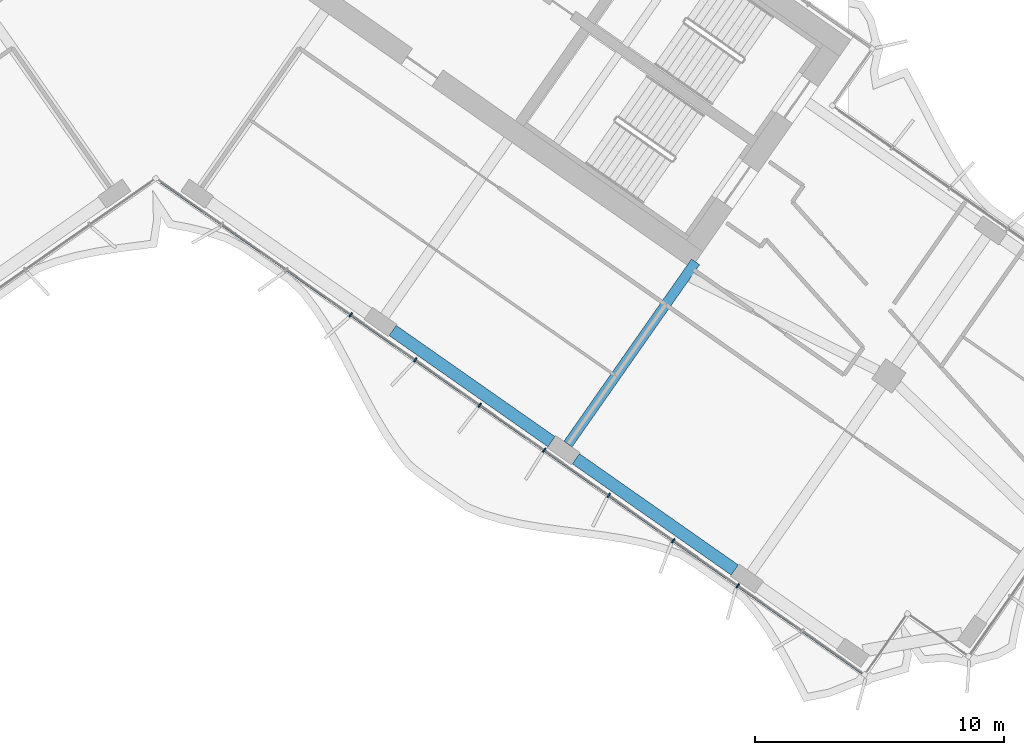
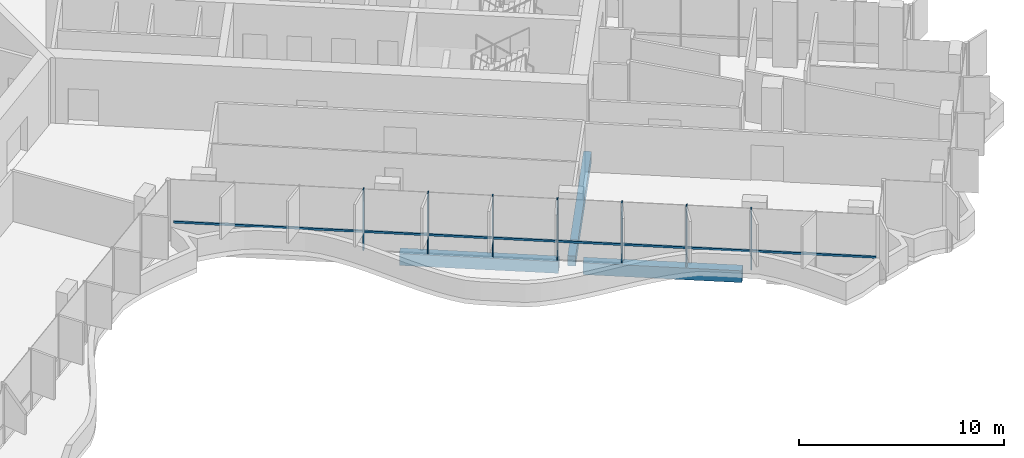
# One storey, part 5 of 22: 8 members, 3 beams, 1 element without a shape of its own.
"""IFC4 building model written with IfcOpenShell, lengths in metres."""

import ifcopenshell
import ifcopenshell.guid

model = None  # the IFC model being written
_history = None  # IfcOwnerHistory: only IFC2X3 demands one
_inside = {}  # id of a spatial element -> (the spatial element, [elements in it])
_under = {}  # id of a project, library or spatial element -> (it, [spatial elements below it])
_declared = {}  # id of a project -> (the project, [libraries it declares])
_typed = {}  # id of a type object -> (the type object, [elements of that type])
_made_of = {}  # id of a material, layer set ... -> (it, [elements and type objects made of it])


def new_model(schema):
    """Start an empty IFC model of exactly this schema.

    Asked for "IFC4X3", IfcOpenShell would pick the latest addendum, in which some entities
    have other attributes; the version numbers below select the first issue.
    IFC2X3 requires an IfcOwnerHistory on every rooted entity: one is made here for all.
    """
    global model, _history
    if schema == "IFC4X3":
        model = ifcopenshell.file(schema_version=(4, 3, 0, 0))
    else:
        model = ifcopenshell.file(schema=schema)
    _inside.clear()
    _under.clear()
    _declared.clear()
    _typed.clear()
    _made_of.clear()
    _history = None
    if model.schema == "IFC2X3":
        org = make("IfcOrganization", Name="unknown")
        user = make(
            "IfcPersonAndOrganization",
            ThePerson=make("IfcPerson", FamilyName="unknown"),
            TheOrganization=org,
        )
        app = make(
            "IfcApplication",
            ApplicationDeveloper=org,
            Version="unknown",
            ApplicationFullName="unknown",
            ApplicationIdentifier="unknown",
        )
        _history = make(
            "IfcOwnerHistory",
            OwningUser=user,
            OwningApplication=app,
            ChangeAction="ADDED",
            CreationDate=0,
        )
    return model


def make(cls, **values):
    """One entity of the class cls with the attributes given. An attribute that is None is left unset."""
    return model.create_entity(
        cls, **{name: value for name, value in values.items() if value is not None}
    )


def rooted(cls, **values):
    """An entity with a GlobalId (a new one), such as an element, a storey or a relation."""
    return make(cls, GlobalId=ifcopenshell.guid.new(), OwnerHistory=_history, **values)


def si_unit(unit_type, name, prefix=None):
    """IfcSIUnit, for example si_unit("LENGTHUNIT", "METRE", prefix="MILLI")."""
    return make("IfcSIUnit", UnitType=unit_type, Prefix=prefix, Name=name)


def assignment(units):
    """IfcUnitAssignment: the units of a project."""
    return None if units is None else make("IfcUnitAssignment", Units=units)


def point(xyz):
    """IfcCartesianPoint."""
    return None if xyz is None else make("IfcCartesianPoint", Coordinates=xyz)


def direction(xyz):
    """IfcDirection."""
    return None if xyz is None else make("IfcDirection", DirectionRatios=xyz)


def frame(location, z_axis=None, x_axis=None):
    """IfcAxis2Placement3D, a coordinate frame: its origin and axes. An axis left out is left unset."""
    return make(
        "IfcAxis2Placement3D",
        Location=point(location),
        Axis=direction(z_axis),
        RefDirection=direction(x_axis),
    )


def frame_2d(location, x_axis=None):
    """IfcAxis2Placement2D, a coordinate frame in the plane: its origin and x axis."""
    return make(
        "IfcAxis2Placement2D", Location=point(location), RefDirection=direction(x_axis)
    )


def origin():
    """The frame at (0, 0, 0) with its axes left unset."""
    return frame((0.0, 0.0, 0.0))


def origin_2d():
    """The frame at (0, 0) in the plane with its x axis left unset."""
    return frame_2d((0.0, 0.0))


def place(relative_to, where):
    """IfcLocalPlacement: puts the frame where relative to a parent placement (None: the world)."""
    return make(
        "IfcLocalPlacement", PlacementRelTo=relative_to, RelativePlacement=where
    )


def context(
    kind, dimensions, precision=None, world=None, true_north=None, identifier=None
):
    """IfcGeometricRepresentationContext, for example the 3D "Model" context."""
    return make(
        "IfcGeometricRepresentationContext",
        ContextIdentifier=identifier,
        ContextType=kind,
        CoordinateSpaceDimension=dimensions,
        Precision=precision,
        WorldCoordinateSystem=world,
        TrueNorth=true_north,
    )


def subcontext(parent, identifier, kind, view, scale=None):
    """IfcGeometricRepresentationSubContext, for example "Body" below "Model"."""
    return make(
        "IfcGeometricRepresentationSubContext",
        ContextIdentifier=identifier,
        ContextType=kind,
        ParentContext=parent,
        TargetScale=scale,
        TargetView=view,
    )


def project(units=None, contexts=None):
    """IfcProject with its units and contexts."""
    return rooted(
        "IfcProject",
        Name="project",
        RepresentationContexts=contexts,
        UnitsInContext=assignment(units),
    )


def spatial(cls, under=None, at=None, **own):
    """A site, building, storey or space (cls), placed at a placement, below another one or the project."""
    s = rooted(cls, ObjectPlacement=at, **own)
    if under is not None:
        _under.setdefault(under.id(), (under, []))[1].append(s)
    return s


def profile(cls, at=None, kind="AREA", **sizes):
    """A parametric profile (cls). Its sizes go by their IFC names, for example OverallWidth=200.0."""
    return make(cls, ProfileType=kind, Position=at, **sizes)


def rectangle(**sizes):
    """IfcRectangleProfileDef."""
    return profile("IfcRectangleProfileDef", **sizes)


def extrude(swept, where, along, depth):
    """IfcExtrudedAreaSolid: the profile swept, set in the frame where, extruded along a direction by depth."""
    return make(
        "IfcExtrudedAreaSolid",
        SweptArea=swept,
        Position=where,
        ExtrudedDirection=direction(along),
        Depth=depth,
    )


def shape(context_of_items, identifier, shape_type, items):
    """IfcShapeRepresentation: the items that make up one representation, for example the "Body"."""
    return make(
        "IfcShapeRepresentation",
        ContextOfItems=context_of_items,
        RepresentationIdentifier=identifier,
        RepresentationType=shape_type,
        Items=items,
    )


def material(Name=None, Category=None):
    """IfcMaterial."""
    return make("IfcMaterial", Name=Name, Category=Category)


def material_profile(
    of_material, cross_section, Name=None, Category=None, Priority=None
):
    """IfcMaterialProfile: a cross section and its material."""
    return make(
        "IfcMaterialProfile",
        Name=Name,
        Material=of_material,
        Profile=cross_section,
        Priority=Priority,
        Category=Category,
    )


def profile_set(profiles, Name=None, composite=None):
    """IfcMaterialProfileSet."""
    return make(
        "IfcMaterialProfileSet",
        Name=Name,
        MaterialProfiles=profiles,
        CompositeProfile=composite,
    )


def made_of(thing, what):
    """Note that an element or type object is made of a material, layer set ...; save() writes the relation."""
    if what is not None:
        _made_of.setdefault(what.id(), (what, []))[1].append(thing)
    return thing


def type_object(cls, material=None, **own):
    """A type object (cls), such as IfcWallType, which elements share."""
    return made_of(rooted(cls, **own), material)


def element(
    cls,
    number,
    at=None,
    inside=None,
    cuts=None,
    type_object=None,
    material=None,
    context=None,
    identifier="Body",
    shape_type=None,
    held_by="IfcProductDefinitionShape",
    body=None,
    shapes=None,
    **own,
):
    """One element of the class cls, such as IfcWall. Its Tag is "e" and its number.

    at: its placement. inside: the storey or other place that contains it. cuts: it is an
    opening in that element (IfcRelVoidsElement). A single representation is given by context,
    identifier, shape_type and body (its items); several are given by shapes. held_by: the class
    of the entity that holds the representations. save() writes the other relations.
    """
    e = rooted(cls, Tag="e%d" % number, ObjectPlacement=at, **own)
    if body is not None:
        shapes = [shape(context, identifier, shape_type, body)]
    if shapes is not None:
        e.Representation = make(held_by, Representations=shapes)
    if inside is not None:
        _inside.setdefault(inside.id(), (inside, []))[1].append(e)
    if cuts is not None:
        rooted(
            "IfcRelVoidsElement", RelatingBuildingElement=cuts, RelatedOpeningElement=e
        )
    if type_object is not None:
        _typed.setdefault(type_object.id(), (type_object, []))[1].append(e)
    return made_of(e, material)


def aggregate(whole, parts):
    """IfcRelAggregates: a whole, such as a stair, and the parts it consists of."""
    return rooted("IfcRelAggregates", RelatingObject=whole, RelatedObjects=parts)


def save(model, path):
    """Write the relations noted so far, then the file.

    IfcRelAggregates (storeys below a building ...), IfcRelContainedInSpatialStructure (elements
    in a storey), IfcRelDefinesByType, IfcRelAssociatesMaterial and IfcRelDeclares: one each for
    every whole, place, type object, material and project.
    """
    for whole, parts in _under.values():
        aggregate(whole, parts)
    for where, things in _inside.values():
        rooted(
            "IfcRelContainedInSpatialStructure",
            RelatedElements=things,
            RelatingStructure=where,
        )
    for kind, things in _typed.values():
        rooted("IfcRelDefinesByType", RelatedObjects=things, RelatingType=kind)
    for what, things in _made_of.values():
        rooted("IfcRelAssociatesMaterial", RelatedObjects=things, RelatingMaterial=what)
    for by, libraries in _declared.values():
        rooted("IfcRelDeclares", RelatingContext=by, RelatedDefinitions=libraries)
    model.write(path)


model = new_model("IFC4")

# Units and contexts
model_context = context("Model", 3, precision=1e-05, world=origin(), true_north=direction((0.0, 1.0)))
body_context = subcontext(model_context, "Body", "Model", "MODEL_VIEW")
ifc_project = project(units=[si_unit("LENGTHUNIT", "METRE"), si_unit("AREAUNIT", "SQUARE_METRE"), si_unit("VOLUMEUNIT", "CUBIC_METRE"), si_unit("PLANEANGLEUNIT", "RADIAN"), si_unit("MASSUNIT", "GRAM", prefix="KILO")], contexts=[model_context])

# Site, building, storey
site_placement = place(None, origin())
site = spatial("IfcSite", under=ifc_project, at=site_placement, CompositionType="ELEMENT")
building_placement = place(site_placement, origin())
building = spatial("IfcBuilding", under=site, at=building_placement, Name="Tel Ilan Convention Tower", CompositionType="ELEMENT")
storey_placement = place(building_placement, frame((0.0, 0.0, 135.89990234375)))
storey = spatial("IfcBuildingStorey", under=building, at=storey_placement, Name="L30", CompositionType="ELEMENT", Elevation=135.89990234375)

# Beams
ifc_material_1 = material(Name="Concrete C40/50", Category="concrete")
ifc_material_profile_1 = material_profile(ifc_material_1, rectangle(XDim=0.39990234375, YDim=0.60009765625, at=origin_2d()), Name="RC 400x600")
ifc_profile_set_1 = profile_set([ifc_material_profile_1], Name="Concrete C40/50")
beam_type_1 = type_object("IfcBeamType", Name="Beam RC 400x600 Concrete C40/50", PredefinedType="BEAM", material=ifc_profile_set_1)
beam_placement = place(storey_placement, frame((16.58203125, -23.391357421875, -0.579833984375), z_axis=(0.573584999642, 0.819146048141, 0.0), x_axis=(-0.819146048141, 0.573584999642, 0.0)))
element("IfcBeam", 1, at=beam_placement, inside=storey, type_object=beam_type_1, Name="L30 beam E-E-F3-core", PredefinedType="BEAM", context=body_context, shape_type="SweptSolid", body=[
    extrude(rectangle(XDim=0.39990234375, YDim=0.60009765625, at=origin_2d()), origin(), (0.0, 0.0, 1.0), 8.949951171875),
])
ifc_material_2 = material(Name="Concrete C40/50", Category="concrete")
ifc_material_profile_2 = material_profile(ifc_material_2, rectangle(XDim=0.5, YDim=0.699951171875, at=origin_2d()), Name="RC 500x700")
ifc_profile_set_2 = profile_set([ifc_material_profile_2], Name="Concrete C40/50")
beam_type_2 = type_object("IfcBeamType", Name="Beam RC 500x700 Concrete C40/50", PredefinedType="BEAM", material=ifc_profile_set_2)
for number, where, z_axis, x_axis, name in (
    (2, (9.529052734375, -18.819091796875, -0.6298828125), (0.819153977895, -0.573573674866, 0.0), (0.573573674866, 0.819153977895, 0.0), "L30 beam E-E-F2-E-F3"),
    (3, (16.901611328125, -23.981201171875, -0.6298828125), (0.819153977895, -0.573573674866, 0.0), (0.573573674866, 0.819153977895, 0.0), "L30 beam E-E-F3-E-F4"),
):
    element("IfcBeam", number, at=place(storey_placement, frame(where, z_axis=z_axis, x_axis=x_axis)), inside=storey, type_object=beam_type_2, Name=name, PredefinedType="BEAM", context=body_context, shape_type="SweptSolid", body=[
        extrude(rectangle(XDim=0.5, YDim=0.699951171875, at=origin_2d()), origin(), (0.0, 0.0, 1.0), 7.800048828125),
    ])

# Curtain wall, members
ifc_material_3 = material(Name="Aluminium, bronze anodised", Category="aluminium")
curtain_wall_type = type_object("IfcCurtainWallType", Name="CW4 STICK CURTAIN WALL, OFFICE TINTED GLASS", PredefinedType="NOTDEFINED", material=ifc_material_3)
curtain_wall_placement = place(storey_placement, origin())
curtain_wall = element("IfcCurtainWall", 4, at=curtain_wall_placement, inside=storey, type_object=curtain_wall_type, Name="Curtain wall CW4-24.02", PredefinedType="NOTDEFINED")
ifc_material_4 = material(Name="Aluminium, bronze anodised", Category="aluminium")
ifc_material_profile_3 = material_profile(ifc_material_4, rectangle(XDim=0.06005859375, YDim=0.199951171875, at=origin_2d()), Name="CW MULLION 60x200")
ifc_profile_set_3 = profile_set([ifc_material_profile_3], Name="Aluminium, bronze anodised")
member_type_1 = type_object("IfcMemberType", Name="CW MULLION 60x200", PredefinedType="MULLION", material=ifc_profile_set_3)
member_1_placement = place(storey_placement, frame((7.842529296875, -18.1875, 0.0), z_axis=(0.0, 0.0, 1.0), x_axis=(0.819152044289, -0.573576436351, 0.0)))
member_1 = element("IfcMember", 5, at=member_1_placement, type_object=member_type_1, Name="Mullion", PredefinedType="MULLION", context=body_context, shape_type="SweptSolid", body=[
    extrude(rectangle(XDim=0.06005859375, YDim=0.199951171875, at=origin_2d()), origin(), (0.0, 0.0, 1.0), 3.6201171875),
])
member_2_placement = place(storey_placement, frame((10.4375, -20.004638671875, 0.0), z_axis=(0.0, 0.0, 1.0), x_axis=(0.819152044289, -0.573576436351, 0.0)))
member_2 = element("IfcMember", 6, at=member_2_placement, type_object=member_type_1, Name="Mullion", PredefinedType="MULLION", context=body_context, shape_type="SweptSolid", body=[
    extrude(rectangle(XDim=0.06005859375, YDim=0.199951171875, at=origin_2d()), origin(), (0.0, 0.0, 1.0), 3.6201171875),
])
member_3_placement = place(storey_placement, frame((13.03271484375, -21.821533203125, 0.0), z_axis=(0.0, 0.0, 1.0), x_axis=(0.819152044289, -0.573576436351, 0.0)))
member_3 = element("IfcMember", 7, at=member_3_placement, type_object=member_type_1, Name="Mullion", PredefinedType="MULLION", context=body_context, shape_type="SweptSolid", body=[
    extrude(rectangle(XDim=0.06005859375, YDim=0.199951171875, at=origin_2d()), origin(), (0.0, 0.0, 1.0), 3.6201171875),
])
member_4_placement = place(storey_placement, frame((15.627685546875, -23.638671875, 0.0), z_axis=(0.0, 0.0, 1.0), x_axis=(0.819152044289, -0.573576436351, 0.0)))
member_4 = element("IfcMember", 8, at=member_4_placement, type_object=member_type_1, Name="Mullion", PredefinedType="MULLION", context=body_context, shape_type="SweptSolid", body=[
    extrude(rectangle(XDim=0.06005859375, YDim=0.199951171875, at=origin_2d()), origin(), (0.0, 0.0, 1.0), 3.6201171875),
])
member_5_placement = place(storey_placement, frame((18.222900390625, -25.455810546875, 0.0), z_axis=(0.0, 0.0, 1.0), x_axis=(0.819152044289, -0.573576436351, 0.0)))
member_5 = element("IfcMember", 9, at=member_5_placement, type_object=member_type_1, Name="Mullion", PredefinedType="MULLION", context=body_context, shape_type="SweptSolid", body=[
    extrude(rectangle(XDim=0.06005859375, YDim=0.199951171875, at=origin_2d()), origin(), (0.0, 0.0, 1.0), 3.6201171875),
])
member_6_placement = place(storey_placement, frame((20.81787109375, -27.27294921875, 0.0), z_axis=(0.0, 0.0, 1.0), x_axis=(0.819152044289, -0.573576436351, 0.0)))
member_6 = element("IfcMember", 10, at=member_6_placement, type_object=member_type_1, Name="Mullion", PredefinedType="MULLION", context=body_context, shape_type="SweptSolid", body=[
    extrude(rectangle(XDim=0.06005859375, YDim=0.199951171875, at=origin_2d()), origin(), (0.0, 0.0, 1.0), 3.6201171875),
])
member_7_placement = place(storey_placement, frame((23.412841796875, -29.08984375, 0.0), z_axis=(0.0, 0.0, 1.0), x_axis=(0.819152044289, -0.573576436351, 0.0)))
member_7 = element("IfcMember", 11, at=member_7_placement, type_object=member_type_1, Name="Mullion", PredefinedType="MULLION", context=body_context, shape_type="SweptSolid", body=[
    extrude(rectangle(XDim=0.06005859375, YDim=0.199951171875, at=origin_2d()), origin(), (0.0, 0.0, 1.0), 3.6201171875),
])
ifc_material_5 = material(Name="Aluminium, bronze anodised", Category="aluminium")
ifc_material_profile_4 = material_profile(ifc_material_5, rectangle(XDim=0.10009765625, YDim=0.1201171875, at=origin_2d()), Name="CW TRANSOM 100x120")
ifc_profile_set_4 = profile_set([ifc_material_profile_4], Name="Aluminium, bronze anodised")
member_type_2 = type_object("IfcMemberType", Name="CW TRANSOM 100x120", PredefinedType="USERDEFINED", material=ifc_profile_set_4)
member_8_placement = place(storey_placement, frame((0.22119140625, -12.850830078125, 1.10009765625), z_axis=(0.819151003602, -0.573577922604, 0.0), x_axis=(0.573577922604, 0.819151003602, 0.0)))
member_8 = element("IfcMember", 12, at=member_8_placement, type_object=member_type_2, Name="Transom", ObjectType="TRANSOM", PredefinedType="USERDEFINED", context=body_context, shape_type="SweptSolid", body=[
    extrude(rectangle(XDim=0.10009765625, YDim=0.1201171875, at=origin_2d()), origin(), (0.0, 0.0, 1.0), 34.447998046875),
])
aggregate(curtain_wall, [member_1, member_2, member_3, member_4, member_5, member_6, member_7, member_8])

save(model, "model.ifc")
